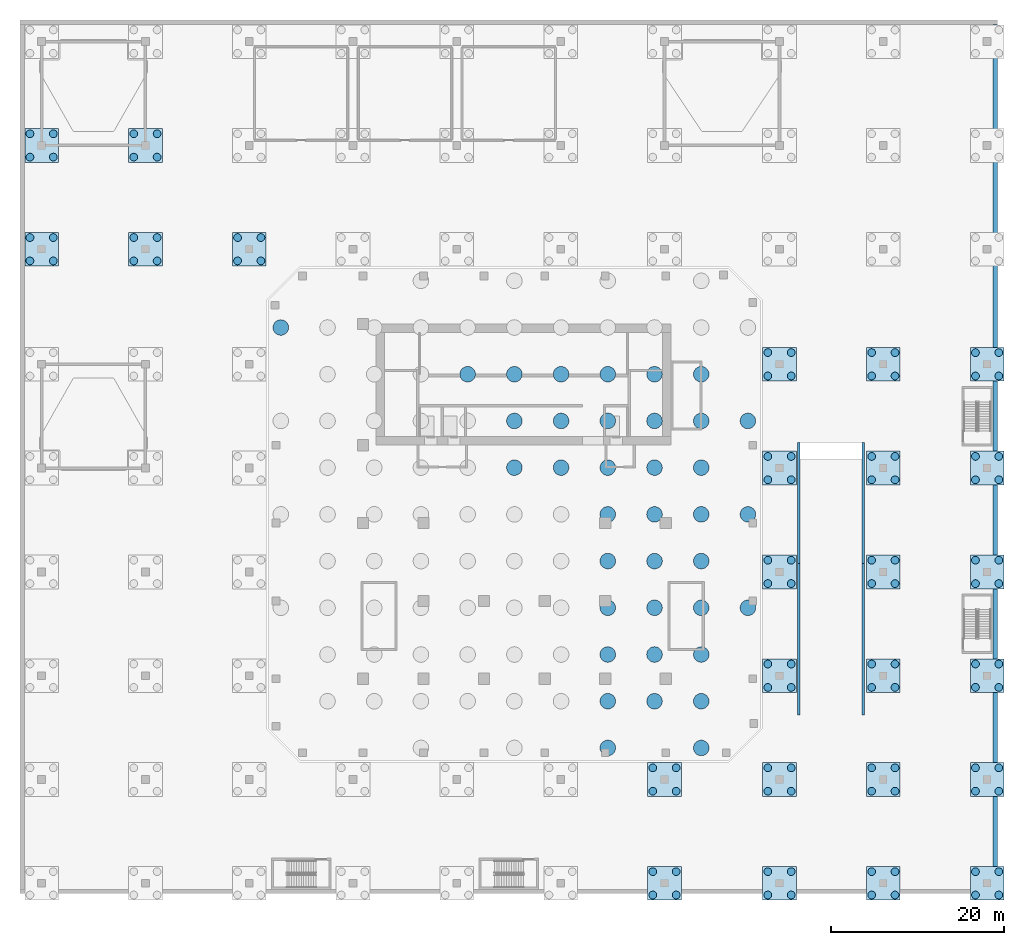
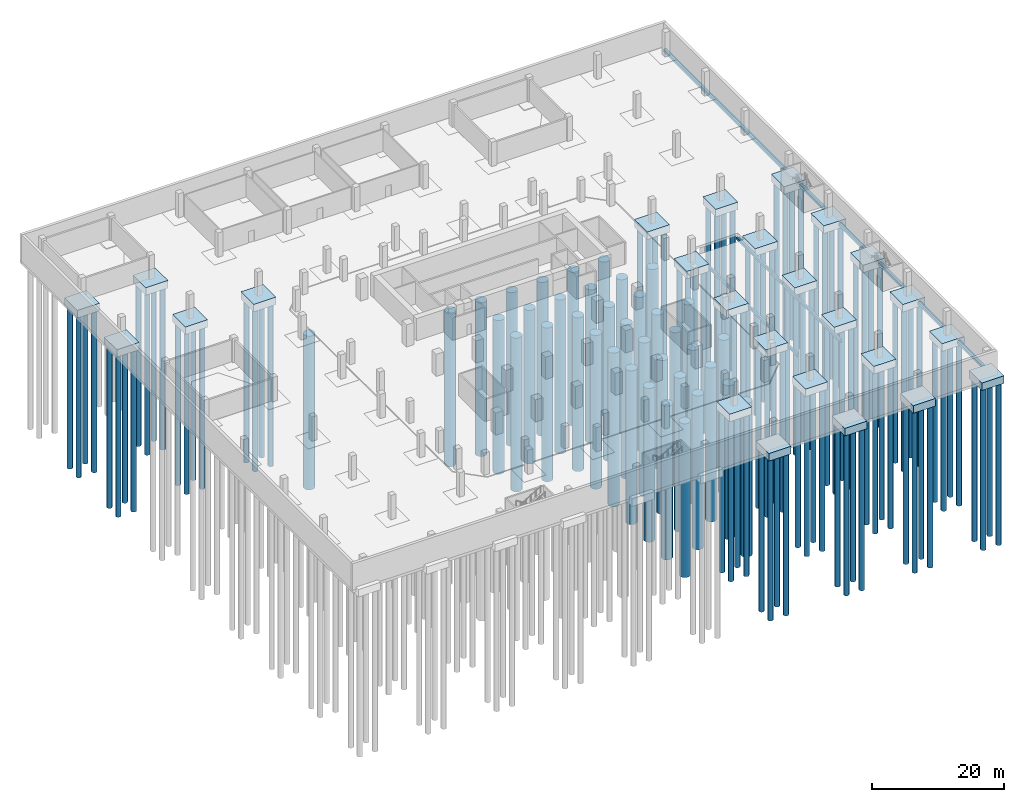
# One storey, part 2 of 15: 137 piles, 30 footings.
"""IFC4 building model written with IfcOpenShell, lengths in metres."""

from ifc_helpers import new_model, si_unit, direction, frame, origin, origin_2d, place, context, subcontext, project, spatial, polyline, rectangle, circle, outline, extrude, source, transform, mapped, material, material_profile, profile_set, type_object, element, save


model = new_model("IFC4")

# Units and contexts
model_context = context("Model", 3, precision=1e-05, world=origin(), true_north=direction((0.0, 1.0)))
body_context = subcontext(model_context, "Body", "Model", "MODEL_VIEW")
ifc_project = project(units=[si_unit("LENGTHUNIT", "METRE"), si_unit("AREAUNIT", "SQUARE_METRE"), si_unit("VOLUMEUNIT", "CUBIC_METRE"), si_unit("PLANEANGLEUNIT", "RADIAN"), si_unit("MASSUNIT", "GRAM", prefix="KILO")], contexts=[model_context])

# Site, building, storey
site_placement = place(None, origin())
site = spatial("IfcSite", under=ifc_project, at=site_placement, CompositionType="ELEMENT")
building_placement = place(site_placement, origin())
building = spatial("IfcBuilding", under=site, at=building_placement, Name="Kilnfold Tower and Market Hall", CompositionType="ELEMENT")
storey_placement = place(building_placement, frame((0.0, 0.0, -9.0)))
storey = spatial("IfcBuildingStorey", under=building, at=storey_placement, Name="B2", CompositionType="ELEMENT", Elevation=-9.0)

# Piles
ifc_material_1 = material(Name="Concrete C40", Category="concrete")
ifc_material_profile_1 = material_profile(ifc_material_1, circle(Radius=0.89990234375, at=origin_2d()), Name="RC D1800")
ifc_profile_set_1 = profile_set([ifc_material_profile_1], Name="Concrete C40")
pile_type_1 = type_object("IfcPileType", Name="BORED PILE D1800", PredefinedType="BORED", material=ifc_profile_set_1)
shared_shape_1 = source(origin(), body_context, "Body", "SweptSolid", [
    extrude(circle(Radius=0.89990234375, at=origin_2d()), origin(), (0.0, 0.0, 1.0), 28.5),
])
for number, where, z_axis, x_axis, name in (
    (1, (-27.0, 21.60009765625, -2.925048828125), (0.0, 0.0, -1.0), (1.0, 0.0, 0.0), "Bored pile P4"),
    (2, (-5.39990234375, 16.199951171875, -2.925048828125), (0.0, 0.0, -1.0), (1.0, 0.0, 0.0), "Bored pile P41"),
    (3, (0.0, 5.39990234375, -2.925048828125), (0.0, 0.0, -1.0), (1.0, 0.0, 0.0), "Bored pile P49"),
    (4, (0.0, 10.800048828125, -2.925048828125), (0.0, 0.0, -1.0), (1.0, 0.0, 0.0), "Bored pile P50"),
    (5, (0.0, 16.199951171875, -2.925048828125), (0.0, 0.0, -1.0), (1.0, 0.0, 0.0), "Bored pile P51"),
    (6, (5.39990234375, 5.39990234375, -2.925048828125), (0.0, 0.0, -1.0), (1.0, 0.0, 0.0), "Bored pile P59"),
    (7, (5.39990234375, 10.800048828125, -2.925048828125), (0.0, 0.0, -1.0), (1.0, 0.0, 0.0), "Bored pile P60"),
    (8, (5.39990234375, 16.199951171875, -2.925048828125), (0.0, 0.0, -1.0), (1.0, 0.0, 0.0), "Bored pile P61"),
    (9, (10.800048828125, -27.0, -2.925048828125), (0.0, 0.0, -1.0), (1.0, 0.0, 0.0), "Bored pile P63"),
    (10, (10.800048828125, -21.60009765625, -2.925048828125), (0.0, 0.0, -1.0), (1.0, 0.0, 0.0), "Bored pile P64"),
    (11, (10.800048828125, -16.199951171875, -2.925048828125), (0.0, 0.0, -1.0), (1.0, 0.0, 0.0), "Bored pile P65"),
    (12, (10.800048828125, -10.800048828125, -2.925048828125), (0.0, 0.0, -1.0), (1.0, 0.0, 0.0), "Bored pile P66"),
    (13, (10.800048828125, -5.39990234375, -2.925048828125), (0.0, 0.0, -1.0), (1.0, 0.0, 0.0), "Bored pile P67"),
    (14, (10.800048828125, 0.0, -2.925048828125), (0.0, 0.0, -1.0), (1.0, 0.0, 0.0), "Bored pile P68"),
    (15, (10.800048828125, 5.39990234375, -2.925048828125), (0.0, 0.0, -1.0), (1.0, 0.0, 0.0), "Bored pile P69"),
    (16, (10.800048828125, 10.800048828125, -2.925048828125), (0.0, 0.0, -1.0), (1.0, 0.0, 0.0), "Bored pile P70"),
    (17, (10.800048828125, 16.199951171875, -2.925048828125), (0.0, 0.0, -1.0), (1.0, 0.0, 0.0), "Bored pile P71"),
    (18, (16.199951171875, -21.60009765625, -2.925048828125), (0.0, 0.0, -1.0), (1.0, 0.0, 0.0), "Bored pile P74"),
    (19, (16.199951171875, -16.199951171875, -2.925048828125), (0.0, 0.0, -1.0), (1.0, 0.0, 0.0), "Bored pile P75"),
    (20, (16.199951171875, -10.800048828125, -2.925048828125), (0.0, 0.0, -1.0), (1.0, 0.0, 0.0), "Bored pile P76"),
    (21, (16.199951171875, -5.39990234375, -2.925048828125), (0.0, 0.0, -1.0), (1.0, 0.0, 0.0), "Bored pile P77"),
    (22, (16.199951171875, 0.0, -2.925048828125), (0.0, 0.0, -1.0), (1.0, 0.0, 0.0), "Bored pile P78"),
    (23, (16.199951171875, 5.39990234375, -2.925048828125), (0.0, 0.0, -1.0), (1.0, 0.0, 0.0), "Bored pile P79"),
    (24, (16.199951171875, 10.800048828125, -2.925048828125), (0.0, 0.0, -1.0), (1.0, 0.0, 0.0), "Bored pile P80"),
    (25, (16.199951171875, 16.199951171875, -2.925048828125), (0.0, 0.0, -1.0), (1.0, 0.0, 0.0), "Bored pile P81"),
    (26, (21.60009765625, -27.0, -2.925048828125), (0.0, 0.0, -1.0), (1.0, 0.0, 0.0), "Bored pile P83"),
    (27, (21.60009765625, -21.60009765625, -2.925048828125), (0.0, 0.0, -1.0), (1.0, 0.0, 0.0), "Bored pile P84"),
    (28, (21.60009765625, -16.199951171875, -2.925048828125), (0.0, 0.0, -1.0), (1.0, 0.0, 0.0), "Bored pile P85"),
    (29, (21.60009765625, -10.800048828125, -2.925048828125), (0.0, 0.0, -1.0), (1.0, 0.0, 0.0), "Bored pile P86"),
    (30, (21.60009765625, -5.39990234375, -2.925048828125), (0.0, 0.0, -1.0), (1.0, 0.0, 0.0), "Bored pile P87"),
    (31, (21.60009765625, 0.0, -2.925048828125), (0.0, 0.0, -1.0), (1.0, 0.0, 0.0), "Bored pile P88"),
    (32, (21.60009765625, 5.39990234375, -2.925048828125), (0.0, 0.0, -1.0), (1.0, 0.0, 0.0), "Bored pile P89"),
    (33, (21.60009765625, 10.800048828125, -2.925048828125), (0.0, 0.0, -1.0), (1.0, 0.0, 0.0), "Bored pile P90"),
    (34, (21.60009765625, 16.199951171875, -2.925048828125), (0.0, 0.0, -1.0), (1.0, 0.0, 0.0), "Bored pile P91"),
    (35, (27.0, -10.800048828125, -2.925048828125), (0.0, 0.0, -1.0), (1.0, 0.0, 0.0), "Bored pile P94"),
    (36, (27.0, 0.0, -2.925048828125), (0.0, 0.0, -1.0), (1.0, 0.0, 0.0), "Bored pile P95"),
    (37, (27.0, 10.800048828125, -2.925048828125), (0.0, 0.0, -1.0), (1.0, 0.0, 0.0), "Bored pile P96"),
):
    element("IfcPile", number, at=place(storey_placement, frame(where, z_axis=z_axis, x_axis=x_axis)), inside=storey, type_object=pile_type_1, Name=name, PredefinedType="BORED", context=body_context, shape_type="MappedRepresentation", body=[
        mapped(shared_shape_1, transform((0.0, 0.0, 0.0))),
    ])

# Footings
ifc_material_2 = material(Name="Concrete C40/50", Category="concrete")
footing_type_1 = type_object("IfcFootingType", Name="HALL PILE CAP 3900X3900X1400", PredefinedType="PILE_CAP", material=ifc_material_2)
shared_shape_2 = source(origin(), body_context, "Body", "SweptSolid", [
    extrude(rectangle(XDim=3.89990234375, YDim=3.89990234375, at=origin_2d()), origin(), (0.0, 0.0, 1.0), 1.39990234375),
])
for number, where, z_axis, x_axis, name in (
    (38, (-54.64990234375, 30.64990234375, -1.39990234375), (0.0, 0.0, 1.0), (1.0, 0.0, 0.0), "Pile cap PC7"),
    (39, (-54.64990234375, 42.64990234375, -1.39990234375), (0.0, 0.0, 1.0), (1.0, 0.0, 0.0), "Pile cap PC8"),
    (40, (-42.64990234375, 30.64990234375, -1.39990234375), (0.0, 0.0, 1.0), (1.0, 0.0, 0.0), "Pile cap PC16"),
    (41, (-42.64990234375, 42.64990234375, -1.39990234375), (0.0, 0.0, 1.0), (1.0, 0.0, 0.0), "Pile cap PC17"),
    (42, (-30.64990234375, 30.64990234375, -1.39990234375), (0.0, 0.0, 1.0), (1.0, 0.0, 0.0), "Pile cap PC25"),
    (43, (17.35009765625, -42.64990234375, -1.39990234375), (0.0, 0.0, 1.0), (1.0, 0.0, 0.0), "Pile cap PC43"),
    (44, (17.35009765625, -30.64990234375, -1.39990234375), (0.0, 0.0, 1.0), (1.0, 0.0, 0.0), "Pile cap PC44"),
    (45, (30.64990234375, -42.64990234375, -1.39990234375), (0.0, 0.0, 1.0), (1.0, 0.0, 0.0), "Pile cap PC48"),
    (46, (30.64990234375, -30.64990234375, -1.39990234375), (0.0, 0.0, 1.0), (1.0, 0.0, 0.0), "Pile cap PC49"),
    (47, (30.64990234375, -18.64990234375, -1.39990234375), (0.0, 0.0, 1.0), (1.0, 0.0, 0.0), "Pile cap PC50"),
    (48, (30.64990234375, -6.64990234375, -1.39990234375), (0.0, 0.0, 1.0), (1.0, 0.0, 0.0), "Pile cap PC51"),
    (49, (30.64990234375, 5.35009765625, -1.39990234375), (0.0, 0.0, 1.0), (1.0, 0.0, 0.0), "Pile cap PC52"),
    (50, (30.64990234375, 17.35009765625, -1.39990234375), (0.0, 0.0, 1.0), (1.0, 0.0, 0.0), "Pile cap PC53"),
    (51, (42.64990234375, -42.64990234375, -1.39990234375), (0.0, 0.0, 1.0), (1.0, 0.0, 0.0), "Pile cap PC57"),
    (52, (42.64990234375, -30.64990234375, -1.39990234375), (0.0, 0.0, 1.0), (1.0, 0.0, 0.0), "Pile cap PC58"),
    (53, (42.64990234375, -18.64990234375, -1.39990234375), (0.0, 0.0, 1.0), (1.0, 0.0, 0.0), "Pile cap PC59"),
    (54, (42.64990234375, -6.64990234375, -1.39990234375), (0.0, 0.0, 1.0), (1.0, 0.0, 0.0), "Pile cap PC60"),
    (55, (42.64990234375, 5.35009765625, -1.39990234375), (0.0, 0.0, 1.0), (1.0, 0.0, 0.0), "Pile cap PC61"),
    (56, (42.64990234375, 17.35009765625, -1.39990234375), (0.0, 0.0, 1.0), (1.0, 0.0, 0.0), "Pile cap PC62"),
    (57, (54.64990234375, -42.64990234375, -1.39990234375), (0.0, 0.0, 1.0), (1.0, 0.0, 0.0), "Pile cap PC66"),
    (58, (54.64990234375, -30.64990234375, -1.39990234375), (0.0, 0.0, 1.0), (1.0, 0.0, 0.0), "Pile cap PC67"),
    (59, (54.64990234375, -18.64990234375, -1.39990234375), (0.0, 0.0, 1.0), (1.0, 0.0, 0.0), "Pile cap PC68"),
    (60, (54.64990234375, -6.64990234375, -1.39990234375), (0.0, 0.0, 1.0), (1.0, 0.0, 0.0), "Pile cap PC69"),
    (61, (54.64990234375, 5.35009765625, -1.39990234375), (0.0, 0.0, 1.0), (1.0, 0.0, 0.0), "Pile cap PC70"),
    (62, (54.64990234375, 17.35009765625, -1.39990234375), (0.0, 0.0, 1.0), (1.0, 0.0, 0.0), "Pile cap PC71"),
):
    element("IfcFooting", number, at=place(storey_placement, frame(where, z_axis=z_axis, x_axis=x_axis)), inside=storey, type_object=footing_type_1, Name=name, PredefinedType="PILE_CAP", context=body_context, shape_type="MappedRepresentation", body=[
        mapped(shared_shape_2, transform((0.0, 0.0, 0.0))),
    ])

# Piles
ifc_material_3 = material(Name="Concrete C40/50", Category="concrete")
ifc_material_profile_2 = material_profile(ifc_material_3, circle(Radius=0.449951171875, at=origin_2d()), Name="D900")
ifc_profile_set_2 = profile_set([ifc_material_profile_2], Name="Concrete C40/50")
pile_type_2 = type_object("IfcPileType", Name="HALL BORED PILE D900", PredefinedType="BORED", material=ifc_profile_set_2)
shared_shape_3 = source(origin(), body_context, "Body", "SweptSolid", [
    extrude(circle(Radius=0.449951171875, at=origin_2d()), origin(), (0.0, 0.0, 1.0), 30.0),
])
for number, where, z_axis, x_axis, name in (
    (63, (-56.0, 29.300048828125, -1.300048828125), (0.0, 0.0, -1.0), (1.0, 0.0, 0.0), "Bored pile HP25"),
    (64, (-56.0, 32.0, -1.300048828125), (0.0, 0.0, -1.0), (1.0, 0.0, 0.0), "Bored pile HP26"),
    (65, (-53.300048828125, 29.300048828125, -1.300048828125), (0.0, 0.0, -1.0), (1.0, 0.0, 0.0), "Bored pile HP27"),
    (66, (-53.300048828125, 32.0, -1.300048828125), (0.0, 0.0, -1.0), (1.0, 0.0, 0.0), "Bored pile HP28"),
    (67, (-56.0, 41.300048828125, -1.300048828125), (0.0, 0.0, -1.0), (1.0, 0.0, 0.0), "Bored pile HP29"),
    (68, (-56.0, 44.0, -1.300048828125), (0.0, 0.0, -1.0), (1.0, 0.0, 0.0), "Bored pile HP30"),
    (69, (-53.300048828125, 41.300048828125, -1.300048828125), (0.0, 0.0, -1.0), (1.0, 0.0, 0.0), "Bored pile HP31"),
    (70, (-53.300048828125, 44.0, -1.300048828125), (0.0, 0.0, -1.0), (1.0, 0.0, 0.0), "Bored pile HP32"),
    (71, (-44.0, 29.300048828125, -1.300048828125), (0.0, 0.0, -1.0), (1.0, 0.0, 0.0), "Bored pile HP61"),
    (72, (-44.0, 32.0, -1.300048828125), (0.0, 0.0, -1.0), (1.0, 0.0, 0.0), "Bored pile HP62"),
    (73, (-41.300048828125, 29.300048828125, -1.300048828125), (0.0, 0.0, -1.0), (1.0, 0.0, 0.0), "Bored pile HP63"),
    (74, (-41.300048828125, 32.0, -1.300048828125), (0.0, 0.0, -1.0), (1.0, 0.0, 0.0), "Bored pile HP64"),
    (75, (-44.0, 41.300048828125, -1.300048828125), (0.0, 0.0, -1.0), (1.0, 0.0, 0.0), "Bored pile HP65"),
    (76, (-44.0, 44.0, -1.300048828125), (0.0, 0.0, -1.0), (1.0, 0.0, 0.0), "Bored pile HP66"),
    (77, (-41.300048828125, 41.300048828125, -1.300048828125), (0.0, 0.0, -1.0), (1.0, 0.0, 0.0), "Bored pile HP67"),
    (78, (-41.300048828125, 44.0, -1.300048828125), (0.0, 0.0, -1.0), (1.0, 0.0, 0.0), "Bored pile HP68"),
    (79, (-32.0, 29.300048828125, -1.300048828125), (0.0, 0.0, -1.0), (1.0, 0.0, 0.0), "Bored pile HP97"),
    (80, (-32.0, 32.0, -1.300048828125), (0.0, 0.0, -1.0), (1.0, 0.0, 0.0), "Bored pile HP98"),
    (81, (-29.300048828125, 29.300048828125, -1.300048828125), (0.0, 0.0, -1.0), (1.0, 0.0, 0.0), "Bored pile HP99"),
    (82, (-29.300048828125, 32.0, -1.300048828125), (0.0, 0.0, -1.0), (1.0, 0.0, 0.0), "Bored pile HP100"),
    (83, (16.0, -44.0, -1.300048828125), (0.0, 0.0, -1.0), (1.0, 0.0, 0.0), "Bored pile HP169"),
    (84, (16.0, -41.300048828125, -1.300048828125), (0.0, 0.0, -1.0), (1.0, 0.0, 0.0), "Bored pile HP170"),
    (85, (18.699951171875, -44.0, -1.300048828125), (0.0, 0.0, -1.0), (1.0, 0.0, 0.0), "Bored pile HP171"),
    (86, (18.699951171875, -41.300048828125, -1.300048828125), (0.0, 0.0, -1.0), (1.0, 0.0, 0.0), "Bored pile HP172"),
    (87, (16.0, -32.0, -1.300048828125), (0.0, 0.0, -1.0), (1.0, 0.0, 0.0), "Bored pile HP173"),
    (88, (16.0, -29.300048828125, -1.300048828125), (0.0, 0.0, -1.0), (1.0, 0.0, 0.0), "Bored pile HP174"),
    (89, (18.699951171875, -32.0, -1.300048828125), (0.0, 0.0, -1.0), (1.0, 0.0, 0.0), "Bored pile HP175"),
    (90, (18.699951171875, -29.300048828125, -1.300048828125), (0.0, 0.0, -1.0), (1.0, 0.0, 0.0), "Bored pile HP176"),
    (91, (29.300048828125, -44.0, -1.300048828125), (0.0, 0.0, -1.0), (1.0, 0.0, 0.0), "Bored pile HP189"),
    (92, (29.300048828125, -41.300048828125, -1.300048828125), (0.0, 0.0, -1.0), (1.0, 0.0, 0.0), "Bored pile HP190"),
    (93, (32.0, -44.0, -1.300048828125), (0.0, 0.0, -1.0), (1.0, 0.0, 0.0), "Bored pile HP191"),
    (94, (32.0, -41.300048828125, -1.300048828125), (0.0, 0.0, -1.0), (1.0, 0.0, 0.0), "Bored pile HP192"),
    (95, (29.300048828125, -32.0, -1.300048828125), (0.0, 0.0, -1.0), (1.0, 0.0, 0.0), "Bored pile HP193"),
    (96, (29.300048828125, -29.300048828125, -1.300048828125), (0.0, 0.0, -1.0), (1.0, 0.0, 0.0), "Bored pile HP194"),
    (97, (32.0, -32.0, -1.300048828125), (0.0, 0.0, -1.0), (1.0, 0.0, 0.0), "Bored pile HP195"),
    (98, (32.0, -29.300048828125, -1.300048828125), (0.0, 0.0, -1.0), (1.0, 0.0, 0.0), "Bored pile HP196"),
    (99, (29.300048828125, -20.0, -1.300048828125), (0.0, 0.0, -1.0), (1.0, 0.0, 0.0), "Bored pile HP197"),
    (100, (29.300048828125, -17.300048828125, -1.300048828125), (0.0, 0.0, -1.0), (1.0, 0.0, 0.0), "Bored pile HP198"),
    (101, (32.0, -20.0, -1.300048828125), (0.0, 0.0, -1.0), (1.0, 0.0, 0.0), "Bored pile HP199"),
    (102, (32.0, -17.300048828125, -1.300048828125), (0.0, 0.0, -1.0), (1.0, 0.0, 0.0), "Bored pile HP200"),
    (103, (29.300048828125, -8.0, -1.300048828125), (0.0, 0.0, -1.0), (1.0, 0.0, 0.0), "Bored pile HP201"),
    (104, (29.300048828125, -5.300048828125, -1.300048828125), (0.0, 0.0, -1.0), (1.0, 0.0, 0.0), "Bored pile HP202"),
    (105, (32.0, -8.0, -1.300048828125), (0.0, 0.0, -1.0), (1.0, 0.0, 0.0), "Bored pile HP203"),
    (106, (32.0, -5.300048828125, -1.300048828125), (0.0, 0.0, -1.0), (1.0, 0.0, 0.0), "Bored pile HP204"),
    (107, (29.300048828125, 4.0, -1.300048828125), (0.0, 0.0, -1.0), (1.0, 0.0, 0.0), "Bored pile HP205"),
    (108, (29.300048828125, 6.699951171875, -1.300048828125), (0.0, 0.0, -1.0), (1.0, 0.0, 0.0), "Bored pile HP206"),
    (109, (32.0, 4.0, -1.300048828125), (0.0, 0.0, -1.0), (1.0, 0.0, 0.0), "Bored pile HP207"),
    (110, (32.0, 6.699951171875, -1.300048828125), (0.0, 0.0, -1.0), (1.0, 0.0, 0.0), "Bored pile HP208"),
    (111, (29.300048828125, 16.0, -1.300048828125), (0.0, 0.0, -1.0), (1.0, 0.0, 0.0), "Bored pile HP209"),
    (112, (29.300048828125, 18.699951171875, -1.300048828125), (0.0, 0.0, -1.0), (1.0, 0.0, 0.0), "Bored pile HP210"),
    (113, (32.0, 16.0, -1.300048828125), (0.0, 0.0, -1.0), (1.0, 0.0, 0.0), "Bored pile HP211"),
    (114, (32.0, 18.699951171875, -1.300048828125), (0.0, 0.0, -1.0), (1.0, 0.0, 0.0), "Bored pile HP212"),
    (115, (41.300048828125, -44.0, -1.300048828125), (0.0, 0.0, -1.0), (1.0, 0.0, 0.0), "Bored pile HP225"),
    (116, (41.300048828125, -41.300048828125, -1.300048828125), (0.0, 0.0, -1.0), (1.0, 0.0, 0.0), "Bored pile HP226"),
    (117, (44.0, -44.0, -1.300048828125), (0.0, 0.0, -1.0), (1.0, 0.0, 0.0), "Bored pile HP227"),
    (118, (44.0, -41.300048828125, -1.300048828125), (0.0, 0.0, -1.0), (1.0, 0.0, 0.0), "Bored pile HP228"),
    (119, (41.300048828125, -32.0, -1.300048828125), (0.0, 0.0, -1.0), (1.0, 0.0, 0.0), "Bored pile HP229"),
    (120, (41.300048828125, -29.300048828125, -1.300048828125), (0.0, 0.0, -1.0), (1.0, 0.0, 0.0), "Bored pile HP230"),
    (121, (44.0, -32.0, -1.300048828125), (0.0, 0.0, -1.0), (1.0, 0.0, 0.0), "Bored pile HP231"),
    (122, (44.0, -29.300048828125, -1.300048828125), (0.0, 0.0, -1.0), (1.0, 0.0, 0.0), "Bored pile HP232"),
    (123, (41.300048828125, -20.0, -1.300048828125), (0.0, 0.0, -1.0), (1.0, 0.0, 0.0), "Bored pile HP233"),
    (124, (41.300048828125, -17.300048828125, -1.300048828125), (0.0, 0.0, -1.0), (1.0, 0.0, 0.0), "Bored pile HP234"),
    (125, (44.0, -20.0, -1.300048828125), (0.0, 0.0, -1.0), (1.0, 0.0, 0.0), "Bored pile HP235"),
    (126, (44.0, -17.300048828125, -1.300048828125), (0.0, 0.0, -1.0), (1.0, 0.0, 0.0), "Bored pile HP236"),
    (127, (41.300048828125, -8.0, -1.300048828125), (0.0, 0.0, -1.0), (1.0, 0.0, 0.0), "Bored pile HP237"),
    (128, (41.300048828125, -5.300048828125, -1.300048828125), (0.0, 0.0, -1.0), (1.0, 0.0, 0.0), "Bored pile HP238"),
    (129, (44.0, -8.0, -1.300048828125), (0.0, 0.0, -1.0), (1.0, 0.0, 0.0), "Bored pile HP239"),
    (130, (44.0, -5.300048828125, -1.300048828125), (0.0, 0.0, -1.0), (1.0, 0.0, 0.0), "Bored pile HP240"),
    (131, (41.300048828125, 4.0, -1.300048828125), (0.0, 0.0, -1.0), (1.0, 0.0, 0.0), "Bored pile HP241"),
    (132, (41.300048828125, 6.699951171875, -1.300048828125), (0.0, 0.0, -1.0), (1.0, 0.0, 0.0), "Bored pile HP242"),
    (133, (44.0, 4.0, -1.300048828125), (0.0, 0.0, -1.0), (1.0, 0.0, 0.0), "Bored pile HP243"),
    (134, (44.0, 6.699951171875, -1.300048828125), (0.0, 0.0, -1.0), (1.0, 0.0, 0.0), "Bored pile HP244"),
    (135, (41.300048828125, 16.0, -1.300048828125), (0.0, 0.0, -1.0), (1.0, 0.0, 0.0), "Bored pile HP245"),
    (136, (41.300048828125, 18.699951171875, -1.300048828125), (0.0, 0.0, -1.0), (1.0, 0.0, 0.0), "Bored pile HP246"),
    (137, (44.0, 16.0, -1.300048828125), (0.0, 0.0, -1.0), (1.0, 0.0, 0.0), "Bored pile HP247"),
    (138, (44.0, 18.699951171875, -1.300048828125), (0.0, 0.0, -1.0), (1.0, 0.0, 0.0), "Bored pile HP248"),
    (139, (53.300048828125, -44.0, -1.300048828125), (0.0, 0.0, -1.0), (1.0, 0.0, 0.0), "Bored pile HP261"),
    (140, (53.300048828125, -41.300048828125, -1.300048828125), (0.0, 0.0, -1.0), (1.0, 0.0, 0.0), "Bored pile HP262"),
    (141, (56.0, -44.0, -1.300048828125), (0.0, 0.0, -1.0), (1.0, 0.0, 0.0), "Bored pile HP263"),
    (142, (56.0, -41.300048828125, -1.300048828125), (0.0, 0.0, -1.0), (1.0, 0.0, 0.0), "Bored pile HP264"),
    (143, (53.300048828125, -32.0, -1.300048828125), (0.0, 0.0, -1.0), (1.0, 0.0, 0.0), "Bored pile HP265"),
    (144, (53.300048828125, -29.300048828125, -1.300048828125), (0.0, 0.0, -1.0), (1.0, 0.0, 0.0), "Bored pile HP266"),
    (145, (56.0, -32.0, -1.300048828125), (0.0, 0.0, -1.0), (1.0, 0.0, 0.0), "Bored pile HP267"),
    (146, (56.0, -29.300048828125, -1.300048828125), (0.0, 0.0, -1.0), (1.0, 0.0, 0.0), "Bored pile HP268"),
    (147, (53.300048828125, -20.0, -1.300048828125), (0.0, 0.0, -1.0), (1.0, 0.0, 0.0), "Bored pile HP269"),
    (148, (53.300048828125, -17.300048828125, -1.300048828125), (0.0, 0.0, -1.0), (1.0, 0.0, 0.0), "Bored pile HP270"),
    (149, (56.0, -20.0, -1.300048828125), (0.0, 0.0, -1.0), (1.0, 0.0, 0.0), "Bored pile HP271"),
    (150, (56.0, -17.300048828125, -1.300048828125), (0.0, 0.0, -1.0), (1.0, 0.0, 0.0), "Bored pile HP272"),
    (151, (53.300048828125, -8.0, -1.300048828125), (0.0, 0.0, -1.0), (1.0, 0.0, 0.0), "Bored pile HP273"),
    (152, (53.300048828125, -5.300048828125, -1.300048828125), (0.0, 0.0, -1.0), (1.0, 0.0, 0.0), "Bored pile HP274"),
    (153, (56.0, -8.0, -1.300048828125), (0.0, 0.0, -1.0), (1.0, 0.0, 0.0), "Bored pile HP275"),
    (154, (56.0, -5.300048828125, -1.300048828125), (0.0, 0.0, -1.0), (1.0, 0.0, 0.0), "Bored pile HP276"),
    (155, (53.300048828125, 4.0, -1.300048828125), (0.0, 0.0, -1.0), (1.0, 0.0, 0.0), "Bored pile HP277"),
    (156, (53.300048828125, 6.699951171875, -1.300048828125), (0.0, 0.0, -1.0), (1.0, 0.0, 0.0), "Bored pile HP278"),
    (157, (56.0, 4.0, -1.300048828125), (0.0, 0.0, -1.0), (1.0, 0.0, 0.0), "Bored pile HP279"),
    (158, (56.0, 6.699951171875, -1.300048828125), (0.0, 0.0, -1.0), (1.0, 0.0, 0.0), "Bored pile HP280"),
    (159, (53.300048828125, 16.0, -1.300048828125), (0.0, 0.0, -1.0), (1.0, 0.0, 0.0), "Bored pile HP281"),
    (160, (53.300048828125, 18.699951171875, -1.300048828125), (0.0, 0.0, -1.0), (1.0, 0.0, 0.0), "Bored pile HP282"),
    (161, (56.0, 16.0, -1.300048828125), (0.0, 0.0, -1.0), (1.0, 0.0, 0.0), "Bored pile HP283"),
    (162, (56.0, 18.699951171875, -1.300048828125), (0.0, 0.0, -1.0), (1.0, 0.0, 0.0), "Bored pile HP284"),
):
    element("IfcPile", number, at=place(storey_placement, frame(where, z_axis=z_axis, x_axis=x_axis)), inside=storey, type_object=pile_type_2, Name=name, PredefinedType="BORED", context=body_context, shape_type="MappedRepresentation", body=[
        mapped(shared_shape_3, transform((0.0, 0.0, 0.0))),
    ])

# Footings
ifc_material_4 = material(Name="Concrete C40/50", Category="concrete")
footing_type_2 = type_object("IfcFootingType", Name="RETAINING WALL FOOTING 500", PredefinedType="STRIP_FOOTING", material=ifc_material_4)
shared_shape_4 = source(origin(), body_context, "Body", "SweptSolid", [
    extrude(outline(polyline([(55.35009765625, -43.35009765625), (55.85009765625, -43.35009765625), (55.85009765625, 56.64990234375), (55.35009765625, 56.64990234375), (55.35009765625, -43.35009765625)])), origin(), (0.0, 0.0, 1.0), 0.5),
])
footing_1_placement = place(storey_placement, frame((0.0, 0.0, -0.89990234375)))
element("IfcFooting", 163, at=footing_1_placement, inside=storey, type_object=footing_type_2, Name="Retaining wall footing east", PredefinedType="STRIP_FOOTING", context=body_context, shape_type="MappedRepresentation", body=[
    mapped(shared_shape_4, transform((0.0, 0.0, 0.0))),
])
ifc_material_5 = material(Name="Concrete C40/50", Category="concrete")
footing_type_3 = type_object("IfcFootingType", Name="CAR PARK RAMP WALL FOOTING 300", PredefinedType="STRIP_FOOTING", material=ifc_material_5)
shared_shape_5 = source(origin(), body_context, "Body", "SweptSolid", [
    extrude(outline(polyline([(32.699951171875, -23.199951171875), (33.0, -23.199951171875), (33.0, -5.699951171875), (32.699951171875, -5.699951171875), (32.699951171875, -23.199951171875)])), origin(), (0.0, 0.0, 1.0), 0.5),
])
footing_2_placement = place(storey_placement, frame((0.0, 0.0, -1.10009765625)))
element("IfcFooting", 164, at=footing_2_placement, inside=storey, type_object=footing_type_3, Name="Ramp wall footing 7", PredefinedType="STRIP_FOOTING", context=body_context, shape_type="MappedRepresentation", body=[
    mapped(shared_shape_5, transform((0.0, 0.0, 0.0))),
])
shared_shape_6 = source(origin(), body_context, "Body", "SweptSolid", [
    extrude(outline(polyline([(40.199951171875, -23.199951171875), (40.5, -23.199951171875), (40.5, -5.699951171875), (40.199951171875, -5.699951171875), (40.199951171875, -23.199951171875)])), origin(), (0.0, 0.0, 1.0), 0.5),
])
footing_3_placement = place(storey_placement, frame((0.0, 0.0, -1.10009765625)))
element("IfcFooting", 165, at=footing_3_placement, inside=storey, type_object=footing_type_3, Name="Ramp wall footing 8", PredefinedType="STRIP_FOOTING", context=body_context, shape_type="MappedRepresentation", body=[
    mapped(shared_shape_6, transform((0.0, 0.0, 0.0))),
])
shared_shape_7 = source(origin(), body_context, "Body", "SweptSolid", [
    extrude(outline(polyline([(32.699951171875, -5.699951171875), (33.0, -5.699951171875), (33.0, 8.300048828125), (32.699951171875, 8.300048828125), (32.699951171875, -5.699951171875)])), origin(), (0.0, 0.0, 1.0), 0.5),
])
footing_4_placement = place(storey_placement, frame((0.0, 0.0, -1.10009765625)))
element("IfcFooting", 166, at=footing_4_placement, inside=storey, type_object=footing_type_3, Name="Ramp wall footing 9", PredefinedType="STRIP_FOOTING", context=body_context, shape_type="MappedRepresentation", body=[
    mapped(shared_shape_7, transform((0.0, 0.0, 0.0))),
])
shared_shape_8 = source(origin(), body_context, "Body", "SweptSolid", [
    extrude(outline(polyline([(40.199951171875, -5.699951171875), (40.5, -5.699951171875), (40.5, 8.300048828125), (40.199951171875, 8.300048828125), (40.199951171875, -5.699951171875)])), origin(), (0.0, 0.0, 1.0), 0.5),
])
footing_5_placement = place(storey_placement, frame((0.0, 0.0, -1.10009765625)))
element("IfcFooting", 167, at=footing_5_placement, inside=storey, type_object=footing_type_3, Name="Ramp wall footing 10", PredefinedType="STRIP_FOOTING", context=body_context, shape_type="MappedRepresentation", body=[
    mapped(shared_shape_8, transform((0.0, 0.0, 0.0))),
])

save(model, "model.ifc")
